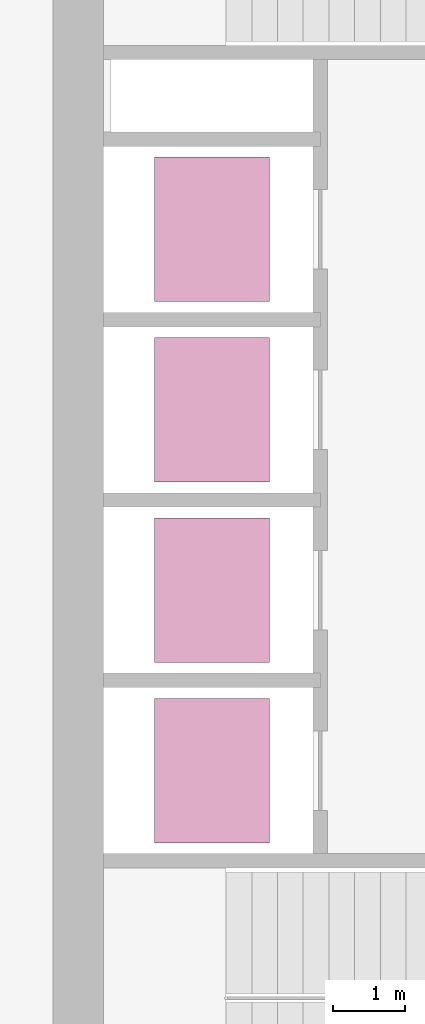
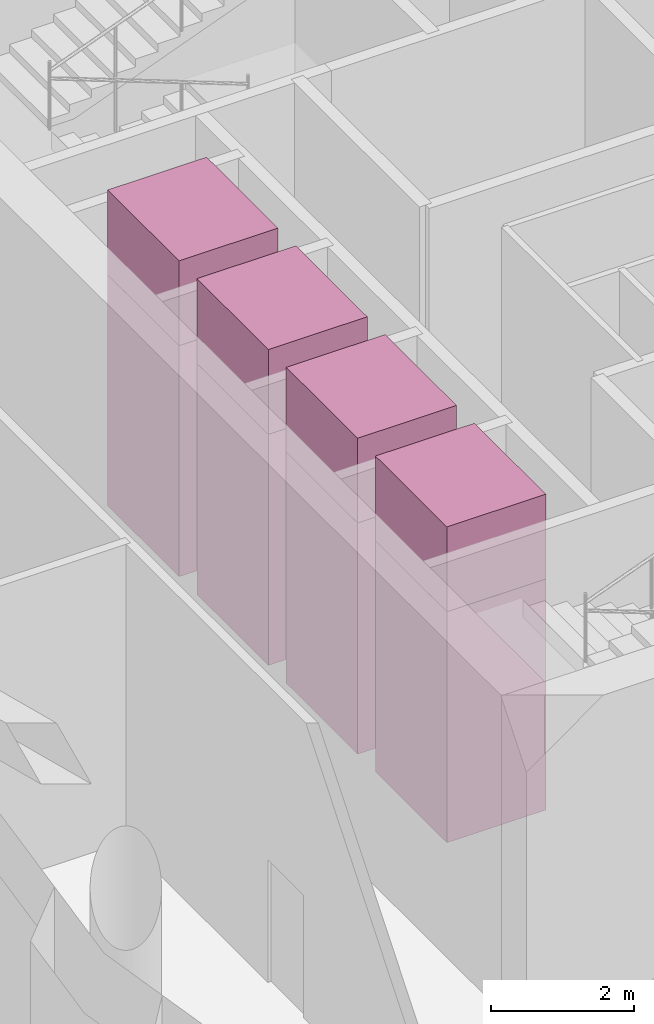
# One storey, part 9 of 9: 8 transport elements.
"""IFC4 building model written with IfcOpenShell, lengths in metres."""

from ifc_helpers import new_model, si_unit, direction, frame, origin, origin_2d, place, context, subcontext, project, spatial, rectangle, extrude, material, type_object, element, save


model = new_model("IFC4")

# Units and contexts
model_context = context("Model", 3, precision=1e-05, world=origin(), true_north=direction((0.0, 1.0)))
body_context = subcontext(model_context, "Body", "Model", "MODEL_VIEW")
ifc_project = project(units=[si_unit("LENGTHUNIT", "METRE"), si_unit("AREAUNIT", "SQUARE_METRE"), si_unit("VOLUMEUNIT", "CUBIC_METRE"), si_unit("PLANEANGLEUNIT", "RADIAN"), si_unit("MASSUNIT", "GRAM", prefix="KILO")], contexts=[model_context])

# Site, building, storey
site_placement = place(None, origin())
site = spatial("IfcSite", under=ifc_project, at=site_placement, CompositionType="ELEMENT")
building_placement = place(site_placement, origin())
building = spatial("IfcBuilding", under=site, at=building_placement, Name="Qaws Garden Tower", CompositionType="ELEMENT")
storey_placement = place(building_placement, frame((0.0, 0.0, 126.300048828125)))
storey = spatial("IfcBuildingStorey", under=building, at=storey_placement, Name="L30", CompositionType="ELEMENT", Elevation=126.300048828125)

# Transport elements
ifc_material = material(Name="Stainless steel 316", Category="steel")
transport_element_type = type_object("IfcTransportElementType", Name="Passenger lift car 2000x1600 1800 kg", PredefinedType="ELEVATOR", material=ifc_material)
transport_element_1_placement = place(storey_placement, frame((10.199951171875, 13.64990234375, 0.0), z_axis=(0.0, 0.0, 1.0), x_axis=(1.0, 0.0, 0.0)))
element("IfcTransportElement", 1, at=transport_element_1_placement, inside=storey, type_object=transport_element_type, Name="MR1", PredefinedType="ELEVATOR", context=body_context, shape_type="SweptSolid", body=[
    extrude(rectangle(XDim=1.60009765625, YDim=2.0, at=origin_2d()), origin(), (0.0, 0.0, 1.0), 3.949951171875),
])
transport_element_2_placement = place(storey_placement, frame((10.199951171875, 13.64990234375, 3.9501953125), z_axis=(0.0, 0.0, 1.0), x_axis=(1.0, 0.0, 0.0)))
element("IfcTransportElement", 2, at=transport_element_2_placement, inside=storey, type_object=transport_element_type, Name="MR1", PredefinedType="ELEVATOR", context=body_context, shape_type="SweptSolid", body=[
    extrude(rectangle(XDim=1.60009765625, YDim=2.0, at=origin_2d()), origin(), (0.0, 0.0, 1.0), 1.449951171875),
])
transport_element_3_placement = place(storey_placement, frame((10.199951171875, 16.14990234375, 0.0), z_axis=(0.0, 0.0, 1.0), x_axis=(1.0, 0.0, 0.0)))
element("IfcTransportElement", 3, at=transport_element_3_placement, inside=storey, type_object=transport_element_type, Name="MR2", PredefinedType="ELEVATOR", context=body_context, shape_type="SweptSolid", body=[
    extrude(rectangle(XDim=1.60009765625, YDim=2.0, at=origin_2d()), origin(), (0.0, 0.0, 1.0), 3.949951171875),
])
transport_element_4_placement = place(storey_placement, frame((10.199951171875, 16.14990234375, 3.9501953125), z_axis=(0.0, 0.0, 1.0), x_axis=(1.0, 0.0, 0.0)))
element("IfcTransportElement", 4, at=transport_element_4_placement, inside=storey, type_object=transport_element_type, Name="MR2", PredefinedType="ELEVATOR", context=body_context, shape_type="SweptSolid", body=[
    extrude(rectangle(XDim=1.60009765625, YDim=2.0, at=origin_2d()), origin(), (0.0, 0.0, 1.0), 1.449951171875),
])
transport_element_5_placement = place(storey_placement, frame((10.199951171875, 18.64990234375, 0.0), z_axis=(0.0, 0.0, 1.0), x_axis=(1.0, 0.0, 0.0)))
element("IfcTransportElement", 5, at=transport_element_5_placement, inside=storey, type_object=transport_element_type, Name="MR3", PredefinedType="ELEVATOR", context=body_context, shape_type="SweptSolid", body=[
    extrude(rectangle(XDim=1.60009765625, YDim=2.0, at=origin_2d()), origin(), (0.0, 0.0, 1.0), 3.949951171875),
])
transport_element_6_placement = place(storey_placement, frame((10.199951171875, 18.64990234375, 3.9501953125), z_axis=(0.0, 0.0, 1.0), x_axis=(1.0, 0.0, 0.0)))
element("IfcTransportElement", 6, at=transport_element_6_placement, inside=storey, type_object=transport_element_type, Name="MR3", PredefinedType="ELEVATOR", context=body_context, shape_type="SweptSolid", body=[
    extrude(rectangle(XDim=1.60009765625, YDim=2.0, at=origin_2d()), origin(), (0.0, 0.0, 1.0), 1.449951171875),
])
transport_element_7_placement = place(storey_placement, frame((10.199951171875, 21.14990234375, 0.0), z_axis=(0.0, 0.0, 1.0), x_axis=(1.0, 0.0, 0.0)))
element("IfcTransportElement", 7, at=transport_element_7_placement, inside=storey, type_object=transport_element_type, Name="MR4", PredefinedType="ELEVATOR", context=body_context, shape_type="SweptSolid", body=[
    extrude(rectangle(XDim=1.60009765625, YDim=2.0, at=origin_2d()), origin(), (0.0, 0.0, 1.0), 3.949951171875),
])
transport_element_8_placement = place(storey_placement, frame((10.199951171875, 21.14990234375, 3.9501953125), z_axis=(0.0, 0.0, 1.0), x_axis=(1.0, 0.0, 0.0)))
element("IfcTransportElement", 8, at=transport_element_8_placement, inside=storey, type_object=transport_element_type, Name="MR4", PredefinedType="ELEVATOR", context=body_context, shape_type="SweptSolid", body=[
    extrude(rectangle(XDim=1.60009765625, YDim=2.0, at=origin_2d()), origin(), (0.0, 0.0, 1.0), 1.449951171875),
])

save(model, "model.ifc")
